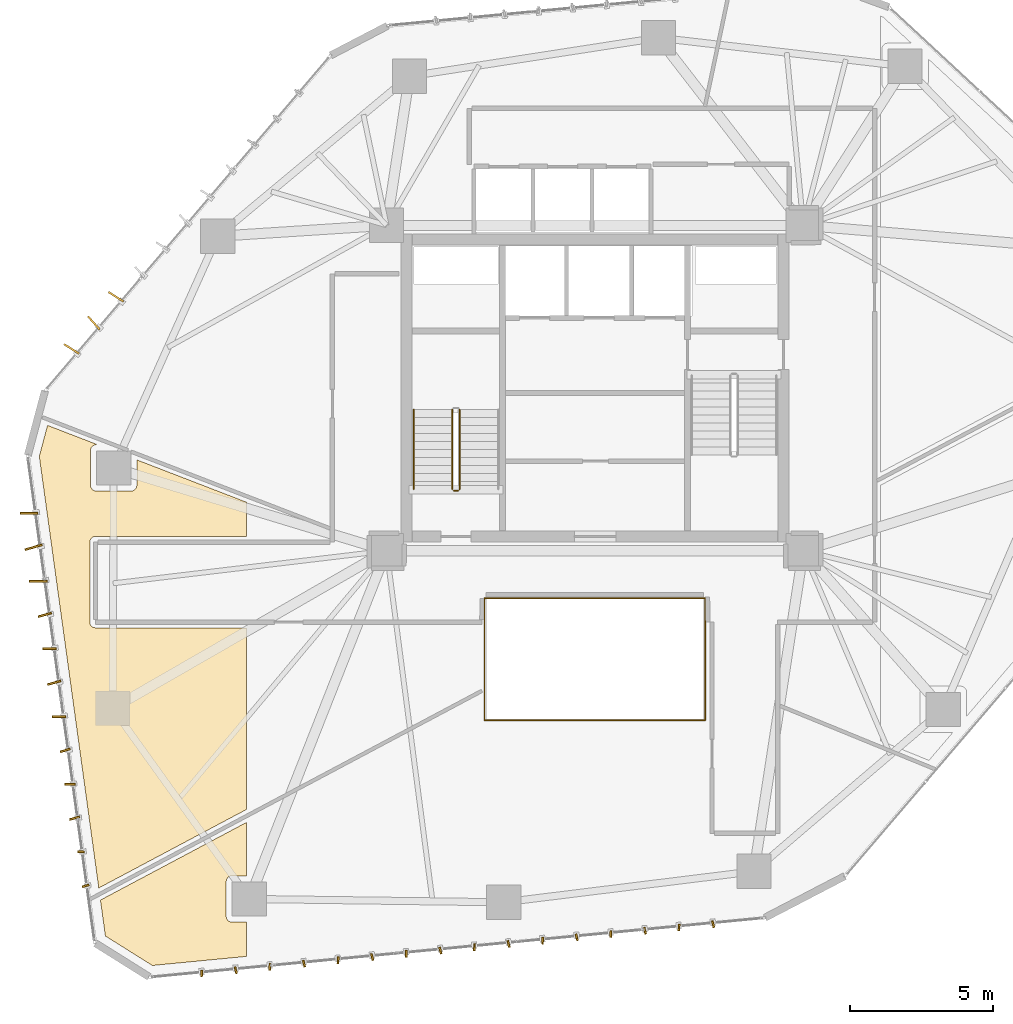
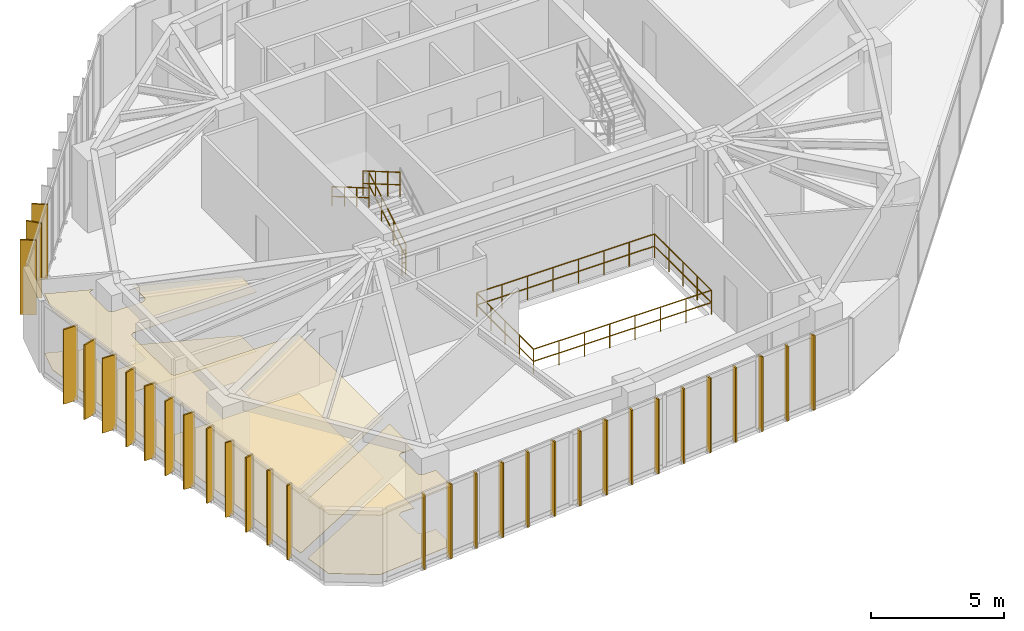
# One storey, part 20 of 22: 31 shading devices, 8 railings, 4 coverings.
"""IFC4 building model written with IfcOpenShell, lengths in metres."""

from ifc_helpers import new_model, si_unit, direction, frame, origin, origin_2d, place, context, subcontext, project, spatial, polyline, rectangle, circle, outline, extrude, source, transform, mapped, material, layer, layer_set, type_object, type_shapes, element, save


model = new_model("IFC4")

# Units and contexts
model_context = context("Model", 3, precision=1e-05, world=origin(), true_north=direction((0.0, 1.0)))
body_context = subcontext(model_context, "Body", "Model", "MODEL_VIEW")
ifc_project = project(units=[si_unit("LENGTHUNIT", "METRE"), si_unit("AREAUNIT", "SQUARE_METRE"), si_unit("VOLUMEUNIT", "CUBIC_METRE"), si_unit("PLANEANGLEUNIT", "RADIAN"), si_unit("MASSUNIT", "GRAM", prefix="KILO")], contexts=[model_context])

# Site, building, storey
site_placement = place(None, origin())
site = spatial("IfcSite", under=ifc_project, at=site_placement, CompositionType="ELEMENT")
building_placement = place(site_placement, origin())
building = spatial("IfcBuilding", under=site, at=building_placement, Name="Talar Marvaseh", CompositionType="ELEMENT")
storey_placement = place(building_placement, frame((0.0, 0.0, 107.39990234375)))
storey = spatial("IfcBuildingStorey", under=building, at=storey_placement, Name="L27", CompositionType="ELEMENT", Elevation=107.39990234375)

# Railings
ifc_material_1 = material(Name="Stainless Steel Grade 316", Category="steel")
railing_type_1 = type_object("IfcRailingType", Name="Brushed Stainless Wall Pitch Handrail 900", PredefinedType="HANDRAIL", material=ifc_material_1)
railing_1_placement = place(storey_placement, frame((19.64990234375, 30.449951171875, 1.963623046875)))
element("IfcRailing", 1, at=railing_1_placement, inside=storey, type_object=railing_type_1, Name="L27 ST-1 stair handrail 2", PredefinedType="HANDRAIL", context=body_context, shape_type="SweptSolid", body=[
    extrude(circle(Radius=0.02392578125, at=origin_2d()), frame((0.0, 0.0, 0.8759765625), z_axis=(0.0, -0.863360870873, 0.504586966384), x_axis=(1.0, 0.0, 0.0)), (0.0, 0.0, 1.0), 3.2431640625),
    extrude(circle(Radius=0.02392578125, at=origin_2d()), frame((0.0, 0.0, 0.42578125), z_axis=(0.0, -0.863360870873, 0.504586966384), x_axis=(1.0, 0.0, 0.0)), (0.0, 0.0, 1.0), 3.2431640625),
    extrude(circle(Radius=0.02099609375, at=origin_2d()), origin(), (0.0, 0.0, 1.0), 0.851806640625),
    extrude(circle(Radius=0.02099609375, at=origin_2d()), frame((0.0, -0.933349609375, 0.54541015625)), (0.0, 0.0, 1.0), 0.851806640625),
    extrude(circle(Radius=0.02099609375, at=origin_2d()), frame((0.0, -1.86669921875, 1.091064453125)), (0.0, 0.0, 1.0), 0.851806640625),
    extrude(circle(Radius=0.02099609375, at=origin_2d()), frame((0.0, -2.800048828125, 1.636474609375)), (0.0, 0.0, 1.0), 0.851806640625),
])
ifc_material_2 = material(Name="Tempered Clear Glass", Category="glass")
railing_type_2 = type_object("IfcRailingType", Name="Interior Atrium Edge Balustrade 1120", PredefinedType="BALUSTRADE", material=ifc_material_2)
railing_2_placement = place(storey_placement, frame((22.1298828125, 19.561279296875, 0.0)))
element("IfcRailing", 2, at=railing_2_placement, inside=storey, type_object=railing_type_2, Name="L27 Internal Daylight Atrium Balustrade 1", PredefinedType="BALUSTRADE", context=body_context, shape_type="SweptSolid", body=[
    extrude(circle(Radius=0.02392578125, at=origin_2d()), frame((0.0, 0.0, 1.09619140625), z_axis=(1.0, 0.0, 0.0), x_axis=(0.0, 1.0, 0.0)), (0.0, 0.0, 1.0), 7.740234375),
    extrude(circle(Radius=0.02392578125, at=origin_2d()), frame((0.0, 0.0, 0.5361328125), z_axis=(1.0, 0.0, 0.0), x_axis=(0.0, 1.0, 0.0)), (0.0, 0.0, 1.0), 7.740234375),
    extrude(circle(Radius=0.02099609375, at=origin_2d()), origin(), (0.0, 0.0, 1.0), 1.072021484375),
    extrude(circle(Radius=0.02099609375, at=origin_2d()), frame((1.105712890625, 0.0, 0.0)), (0.0, 0.0, 1.0), 1.072021484375),
    extrude(circle(Radius=0.02099609375, at=origin_2d()), frame((2.21142578125, 0.0, 0.0)), (0.0, 0.0, 1.0), 1.072021484375),
    extrude(circle(Radius=0.02099609375, at=origin_2d()), frame((3.317138671875, 0.0, 0.0)), (0.0, 0.0, 1.0), 1.072021484375),
    extrude(circle(Radius=0.02099609375, at=origin_2d()), frame((4.423095703125, 0.0, 0.0)), (0.0, 0.0, 1.0), 1.072021484375),
    extrude(circle(Radius=0.02099609375, at=origin_2d()), frame((5.52880859375, 0.0, 0.0)), (0.0, 0.0, 1.0), 1.072021484375),
    extrude(circle(Radius=0.02099609375, at=origin_2d()), frame((6.634521484375, 0.0, 0.0)), (0.0, 0.0, 1.0), 1.072021484375),
    extrude(circle(Radius=0.02099609375, at=origin_2d()), frame((7.740234375, 0.0, 0.0)), (0.0, 0.0, 1.0), 1.072021484375),
])
railing_3_placement = place(storey_placement, frame((29.8701171875, 19.561279296875, 0.0)))
element("IfcRailing", 3, at=railing_3_placement, inside=storey, type_object=railing_type_2, Name="L27 Internal Daylight Atrium Balustrade 2", PredefinedType="BALUSTRADE", context=body_context, shape_type="SweptSolid", body=[
    extrude(circle(Radius=0.02392578125, at=origin_2d()), frame((0.0, 0.0, 1.09619140625), z_axis=(0.0, 1.0, 0.0), x_axis=(-1.0, 0.0, 0.0)), (0.0, 0.0, 1.0), 4.27734375),
    extrude(circle(Radius=0.02392578125, at=origin_2d()), frame((0.0, 0.0, 0.5361328125), z_axis=(0.0, 1.0, 0.0), x_axis=(-1.0, 0.0, 0.0)), (0.0, 0.0, 1.0), 4.27734375),
    extrude(circle(Radius=0.02099609375, at=origin_2d()), origin(), (0.0, 0.0, 1.0), 1.072021484375),
    extrude(circle(Radius=0.02099609375, at=origin_2d()), frame((0.0, 1.0693359375, 0.0)), (0.0, 0.0, 1.0), 1.072021484375),
    extrude(circle(Radius=0.02099609375, at=origin_2d()), frame((0.0, 2.138671875, 0.0)), (0.0, 0.0, 1.0), 1.072021484375),
    extrude(circle(Radius=0.02099609375, at=origin_2d()), frame((0.0, 3.2080078125, 0.0)), (0.0, 0.0, 1.0), 1.072021484375),
    extrude(circle(Radius=0.02099609375, at=origin_2d()), frame((0.0, 4.27734375, 0.0)), (0.0, 0.0, 1.0), 1.072021484375),
])
railing_4_placement = place(storey_placement, frame((29.8701171875, 23.838623046875, 0.0)))
element("IfcRailing", 4, at=railing_4_placement, inside=storey, type_object=railing_type_2, Name="L27 Internal Daylight Atrium Balustrade 3", PredefinedType="BALUSTRADE", context=body_context, shape_type="SweptSolid", body=[
    extrude(circle(Radius=0.02392578125, at=origin_2d()), frame((0.0, 0.0, 1.09619140625), z_axis=(-1.0, 0.0, 0.0), x_axis=(0.0, -1.0, 0.0)), (0.0, 0.0, 1.0), 7.740234375),
    extrude(circle(Radius=0.02392578125, at=origin_2d()), frame((0.0, 0.0, 0.5361328125), z_axis=(-1.0, 0.0, 0.0), x_axis=(0.0, -1.0, 0.0)), (0.0, 0.0, 1.0), 7.740234375),
    extrude(circle(Radius=0.02099609375, at=origin_2d()), origin(), (0.0, 0.0, 1.0), 1.072021484375),
    extrude(circle(Radius=0.02099609375, at=origin_2d()), frame((-1.105712890625, 0.0, 0.0)), (0.0, 0.0, 1.0), 1.072021484375),
    extrude(circle(Radius=0.02099609375, at=origin_2d()), frame((-2.21142578125, 0.0, 0.0)), (0.0, 0.0, 1.0), 1.072021484375),
    extrude(circle(Radius=0.02099609375, at=origin_2d()), frame((-3.317138671875, 0.0, 0.0)), (0.0, 0.0, 1.0), 1.072021484375),
    extrude(circle(Radius=0.02099609375, at=origin_2d()), frame((-4.423095703125, 0.0, 0.0)), (0.0, 0.0, 1.0), 1.072021484375),
    extrude(circle(Radius=0.02099609375, at=origin_2d()), frame((-5.52880859375, 0.0, 0.0)), (0.0, 0.0, 1.0), 1.072021484375),
    extrude(circle(Radius=0.02099609375, at=origin_2d()), frame((-6.634521484375, 0.0, 0.0)), (0.0, 0.0, 1.0), 1.072021484375),
    extrude(circle(Radius=0.02099609375, at=origin_2d()), frame((-7.740234375, 0.0, 0.0)), (0.0, 0.0, 1.0), 1.072021484375),
])
railing_5_placement = place(storey_placement, frame((22.1298828125, 23.838623046875, 0.0)))
element("IfcRailing", 5, at=railing_5_placement, inside=storey, type_object=railing_type_2, Name="L27 Internal Daylight Atrium Balustrade 4", PredefinedType="BALUSTRADE", context=body_context, shape_type="SweptSolid", body=[
    extrude(circle(Radius=0.02392578125, at=origin_2d()), frame((0.0, 0.0, 1.09619140625), z_axis=(0.0, -1.0, 0.0), x_axis=(1.0, 0.0, 0.0)), (0.0, 0.0, 1.0), 4.27734375),
    extrude(circle(Radius=0.02392578125, at=origin_2d()), frame((0.0, 0.0, 0.5361328125), z_axis=(0.0, -1.0, 0.0), x_axis=(1.0, 0.0, 0.0)), (0.0, 0.0, 1.0), 4.27734375),
    extrude(circle(Radius=0.02099609375, at=origin_2d()), origin(), (0.0, 0.0, 1.0), 1.072021484375),
    extrude(circle(Radius=0.02099609375, at=origin_2d()), frame((0.0, -1.0693359375, 0.0)), (0.0, 0.0, 1.0), 1.072021484375),
    extrude(circle(Radius=0.02099609375, at=origin_2d()), frame((0.0, -2.138671875, 0.0)), (0.0, 0.0, 1.0), 1.072021484375),
    extrude(circle(Radius=0.02099609375, at=origin_2d()), frame((0.0, -3.2080078125, 0.0)), (0.0, 0.0, 1.0), 1.072021484375),
    extrude(circle(Radius=0.02099609375, at=origin_2d()), frame((0.0, -4.27734375, 0.0)), (0.0, 0.0, 1.0), 1.072021484375),
])
railing_type_3 = type_object("IfcRailingType", Name="Painted Steel Core Stair Well Guardrail 1150", PredefinedType="GUARDRAIL", material=ifc_material_1)
railing_6_placement = place(storey_placement, frame((21.260009765625, 27.64990234375, 0.163818359375)))
element("IfcRailing", 6, at=railing_6_placement, inside=storey, type_object=railing_type_3, Name="L27 ST-1 stair guard 1", PredefinedType="GUARDRAIL", context=body_context, shape_type="SweptSolid", body=[
    extrude(circle(Radius=0.02392578125, at=origin_2d()), frame((0.0, 0.0, 1.1259765625), z_axis=(0.0, 0.863393664356, 0.504530851732), x_axis=(-1.0, 0.0, 0.0)), (0.0, 0.0, 1.0), 3.2431640625),
    extrude(circle(Radius=0.02392578125, at=origin_2d()), frame((0.0, 0.0, 0.55078125), z_axis=(0.0, 0.863393664356, 0.504530851732), x_axis=(-1.0, 0.0, 0.0)), (0.0, 0.0, 1.0), 3.2431640625),
    extrude(circle(Radius=0.02099609375, at=origin_2d()), origin(), (0.0, 0.0, 1.0), 1.101806640625),
    extrude(circle(Radius=0.02099609375, at=origin_2d()), frame((0.0, 0.933349609375, 0.54541015625)), (0.0, 0.0, 1.0), 1.101806640625),
    extrude(circle(Radius=0.02099609375, at=origin_2d()), frame((0.0, 1.86669921875, 1.0908203125)), (0.0, 0.0, 1.0), 1.101806640625),
    extrude(circle(Radius=0.02099609375, at=origin_2d()), frame((0.0, 2.800048828125, 1.63623046875)), (0.0, 0.0, 1.0), 1.101806640625),
])
railing_7_placement = place(storey_placement, frame((21.0, 30.449951171875, 1.963623046875)))
element("IfcRailing", 7, at=railing_7_placement, inside=storey, type_object=railing_type_3, Name="L27 ST-1 stair guard 3", PredefinedType="GUARDRAIL", context=body_context, shape_type="SweptSolid", body=[
    extrude(circle(Radius=0.02392578125, at=origin_2d()), frame((0.0, 0.0, 1.1259765625), z_axis=(0.0, -0.863360870873, 0.504586966384), x_axis=(1.0, 0.0, 0.0)), (0.0, 0.0, 1.0), 3.2431640625),
    extrude(circle(Radius=0.02392578125, at=origin_2d()), frame((0.0, 0.0, 0.55078125), z_axis=(0.0, -0.863360870873, 0.504586966384), x_axis=(1.0, 0.0, 0.0)), (0.0, 0.0, 1.0), 3.2431640625),
    extrude(circle(Radius=0.02099609375, at=origin_2d()), origin(), (0.0, 0.0, 1.0), 1.101806640625),
    extrude(circle(Radius=0.02099609375, at=origin_2d()), frame((0.0, -0.933349609375, 0.54541015625)), (0.0, 0.0, 1.0), 1.101806640625),
    extrude(circle(Radius=0.02099609375, at=origin_2d()), frame((0.0, -1.86669921875, 1.091064453125)), (0.0, 0.0, 1.0), 1.101806640625),
    extrude(circle(Radius=0.02099609375, at=origin_2d()), frame((0.0, -2.800048828125, 1.636474609375)), (0.0, 0.0, 1.0), 1.101806640625),
])
railing_8_placement = place(storey_placement, frame((21.2099609375, 27.60009765625, 0.0)))
element("IfcRailing", 8, at=railing_8_placement, inside=storey, type_object=railing_type_3, Name="L27 ST-1 stair guard 4", PredefinedType="GUARDRAIL", context=body_context, shape_type="SweptSolid", body=[
    extrude(circle(Radius=0.02392578125, at=origin_2d()), frame((0.0, 0.0, 1.1259765625), z_axis=(-1.0, 0.0, 0.0), x_axis=(0.0, -1.0, 0.0)), (0.0, 0.0, 1.0), 0.159912109375),
    extrude(circle(Radius=0.02392578125, at=origin_2d()), frame((0.0, 0.0, 0.55078125), z_axis=(-1.0, 0.0, 0.0), x_axis=(0.0, -1.0, 0.0)), (0.0, 0.0, 1.0), 0.159912109375),
    extrude(circle(Radius=0.02099609375, at=origin_2d()), origin(), (0.0, 0.0, 1.0), 1.101806640625),
    extrude(circle(Radius=0.02099609375, at=origin_2d()), frame((-0.159912109375, 0.0, 0.0)), (0.0, 0.0, 1.0), 1.101806640625),
])

# Coverings
ifc_material_3 = material(Name="Mineral Fibre Acoustic Ceiling")
ifc_layer_1 = layer(ifc_material_3, 0.02490234375)
ifc_layer_set_1 = layer_set([ifc_layer_1], Name="Mineral Fibre Acoustic Ceiling")
covering_type_1 = type_object("IfcCoveringType", Name="Perforated Mineral Fibre Acoustic Suspended Ceiling", PredefinedType="CEILING", material=ifc_layer_set_1)
covering_1_placement = place(storey_placement, frame((0.0, 0.0, 2.72021484375)))
element("IfcCovering", 9, at=covering_1_placement, inside=storey, type_object=covering_type_1, Name="L27 Curatorial Office Acoustic Ceiling", PredefinedType="CEILING", context=body_context, shape_type="SweptSolid", body=[
    extrude(outline(polyline([(6.820556640625, 29.8916015625), (8.5673828125, 29.217041015625), (8.5380859375, 29.217041015625), (8.520263671875, 29.21630859375), (8.502685546875, 29.2138671875), (8.485595703125, 29.2099609375), (8.468505859375, 29.20458984375), (8.452392578125, 29.19775390625), (8.440673828125, 29.192138671875), (8.422607421875, 29.1826171875), (8.40576171875, 29.1708984375), (8.39013671875, 29.157958984375), (8.3759765625, 29.143310546875), (8.36328125, 29.127197265625), (8.352294921875, 29.10986328125), (8.343017578125, 29.091552734375), (8.3359375, 29.072509765625), (8.330810546875, 29.052734375), (8.327392578125, 29.032470703125), (8.326416015625, 29.01220703125), (8.322998046875, 27.802490234375), (8.323974609375, 27.78271484375), (8.326904296875, 27.76318359375), (8.33154296875, 27.744140625), (8.338134765625, 27.7255859375), (8.3466796875, 27.707763671875), (8.356689453125, 27.69091796875), (8.3662109375, 27.677001953125), (8.377685546875, 27.6611328125), (8.39111328125, 27.646484375), (8.405517578125, 27.63330078125), (8.42138671875, 27.62158203125), (8.438232421875, 27.611572265625), (8.4560546875, 27.603271484375), (8.474609375, 27.5966796875), (8.49365234375, 27.591796875), (8.51318359375, 27.589111328125), (8.53271484375, 27.588134765625), (9.7490234375, 27.59130859375), (9.768798828125, 27.59228515625), (9.7880859375, 27.59521484375), (9.806884765625, 27.60009765625), (9.8251953125, 27.606689453125), (9.843017578125, 27.614990234375), (9.85986328125, 27.625), (9.87548828125, 27.63671875), (9.889892578125, 27.64990234375), (9.903076171875, 27.664306640625), (9.914794921875, 27.68017578125), (9.9248046875, 27.69677734375), (9.93310546875, 27.714599609375), (9.939697265625, 27.73291015625), (9.944580078125, 27.751708984375), (9.947509765625, 27.77099609375), (9.948486328125, 27.790771484375), (9.951904296875, 28.682373046875), (13.800048828125, 27.196533203125), (13.800048828125, 26.0), (8.5, 26.0), (8.48046875, 25.9990234375), (8.4609375, 25.99609375), (8.44189453125, 25.991455078125), (8.423583984375, 25.98486328125), (8.40576171875, 25.976318359375), (8.388916015625, 25.96630859375), (8.373046875, 25.95458984375), (8.358642578125, 25.94140625), (8.345458984375, 25.927001953125), (8.333740234375, 25.9111328125), (8.323486328125, 25.894287109375), (8.315185546875, 25.87646484375), (8.30859375, 25.858154296875), (8.3037109375, 25.839111328125), (8.301025390625, 25.819580078125), (8.300048828125, 25.800048828125), (8.300048828125, 23.0), (8.301025390625, 22.98046875), (8.3037109375, 22.9609375), (8.30859375, 22.94189453125), (8.315185546875, 22.923583984375), (8.323486328125, 22.90576171875), (8.333740234375, 22.888916015625), (8.345458984375, 22.873046875), (8.358642578125, 22.858642578125), (8.373046875, 22.845458984375), (8.388916015625, 22.833740234375), (8.40576171875, 22.823486328125), (8.423583984375, 22.815185546875), (8.44189453125, 22.80859375), (8.4609375, 22.8037109375), (8.48046875, 22.801025390625), (8.5, 22.800048828125), (13.800048828125, 22.800048828125), (13.800048828125, 16.439697265625), (8.615966796875, 13.683349609375), (6.531982421875, 28.80517578125), (6.820556640625, 29.8916015625)])), origin(), (0.0, 0.0, 1.0), 0.02490234375),
])
covering_2_placement = place(storey_placement, frame((0.0, 0.0, 2.72021484375)))
element("IfcCovering", 10, at=covering_2_placement, inside=storey, type_object=covering_type_1, Name="L27 Seminar Room Acoustic Ceiling", PredefinedType="CEILING", context=body_context, shape_type="SweptSolid", body=[
    extrude(outline(polyline([(13.800048828125, 14.111572265625), (13.27978515625, 14.109619140625), (13.260009765625, 14.108642578125), (13.24072265625, 14.105712890625), (13.2216796875, 14.100830078125), (13.203369140625, 14.09423828125), (13.185791015625, 14.085693359375), (13.1689453125, 14.07568359375), (13.1533203125, 14.06396484375), (13.138671875, 14.05078125), (13.12548828125, 14.0361328125), (13.114013671875, 14.0205078125), (13.10400390625, 14.003662109375), (13.095703125, 13.986083984375), (13.089111328125, 13.967529296875), (13.084228515625, 13.948486328125), (13.081298828125, 13.92919921875), (13.080322265625, 13.90966796875), (13.080322265625, 12.6884765625), (13.081298828125, 12.668701171875), (13.084228515625, 12.6494140625), (13.089111328125, 12.63037109375), (13.095703125, 12.61181640625), (13.10400390625, 12.593994140625), (13.114013671875, 12.577392578125), (13.125732421875, 12.5615234375), (13.138916015625, 12.547119140625), (13.153564453125, 12.53369140625), (13.169189453125, 12.522216796875), (13.18603515625, 12.511962890625), (13.203857421875, 12.503662109375), (13.222412109375, 12.4970703125), (13.241455078125, 12.4921875), (13.2607421875, 12.489501953125), (13.280517578125, 12.48828125), (13.800048828125, 12.48828125), (13.800048828125, 11.287353515625), (10.49365234375, 10.968505859375), (8.847900390625, 11.999755859375), (8.674072265625, 13.26123046875), (13.800048828125, 15.986572265625), (13.800048828125, 14.111572265625)])), origin(), (0.0, 0.0, 1.0), 0.02490234375),
])
ifc_material_4 = material(Name="Porcelain Stoneware Tile", Category="masonry")
ifc_layer_2 = layer(ifc_material_4, 0.02001953125)
ifc_layer_set_2 = layer_set([ifc_layer_2], Name="Porcelain Stoneware Tile")
covering_type_2 = type_object("IfcCoveringType", Name="Polished Porcelain Stoneware Gallery Flooring", PredefinedType="FLOORING", material=ifc_layer_set_2)
covering_3_placement = place(storey_placement, origin())
element("IfcCovering", 11, at=covering_3_placement, inside=storey, type_object=covering_type_2, Name="L27 Curatorial Office Flooring", PredefinedType="FLOORING", context=body_context, shape_type="SweptSolid", body=[
    extrude(outline(polyline([(6.820556640625, 29.8916015625), (8.5673828125, 29.217041015625), (8.5380859375, 29.217041015625), (8.520263671875, 29.21630859375), (8.502685546875, 29.2138671875), (8.485595703125, 29.2099609375), (8.468505859375, 29.20458984375), (8.452392578125, 29.19775390625), (8.440673828125, 29.192138671875), (8.422607421875, 29.1826171875), (8.40576171875, 29.1708984375), (8.39013671875, 29.157958984375), (8.3759765625, 29.143310546875), (8.36328125, 29.127197265625), (8.352294921875, 29.10986328125), (8.343017578125, 29.091552734375), (8.3359375, 29.072509765625), (8.330810546875, 29.052734375), (8.327392578125, 29.032470703125), (8.326416015625, 29.01220703125), (8.322998046875, 27.802490234375), (8.323974609375, 27.78271484375), (8.326904296875, 27.76318359375), (8.33154296875, 27.744140625), (8.338134765625, 27.7255859375), (8.3466796875, 27.707763671875), (8.356689453125, 27.69091796875), (8.3662109375, 27.677001953125), (8.377685546875, 27.6611328125), (8.39111328125, 27.646484375), (8.405517578125, 27.63330078125), (8.42138671875, 27.62158203125), (8.438232421875, 27.611572265625), (8.4560546875, 27.603271484375), (8.474609375, 27.5966796875), (8.49365234375, 27.591796875), (8.51318359375, 27.589111328125), (8.53271484375, 27.588134765625), (9.7490234375, 27.59130859375), (9.768798828125, 27.59228515625), (9.7880859375, 27.59521484375), (9.806884765625, 27.60009765625), (9.8251953125, 27.606689453125), (9.843017578125, 27.614990234375), (9.85986328125, 27.625), (9.87548828125, 27.63671875), (9.889892578125, 27.64990234375), (9.903076171875, 27.664306640625), (9.914794921875, 27.68017578125), (9.9248046875, 27.69677734375), (9.93310546875, 27.714599609375), (9.939697265625, 27.73291015625), (9.944580078125, 27.751708984375), (9.947509765625, 27.77099609375), (9.948486328125, 27.790771484375), (9.951904296875, 28.682373046875), (13.800048828125, 27.196533203125), (13.800048828125, 26.0), (8.5, 26.0), (8.48046875, 25.9990234375), (8.4609375, 25.99609375), (8.44189453125, 25.991455078125), (8.423583984375, 25.98486328125), (8.40576171875, 25.976318359375), (8.388916015625, 25.96630859375), (8.373046875, 25.95458984375), (8.358642578125, 25.94140625), (8.345458984375, 25.927001953125), (8.333740234375, 25.9111328125), (8.323486328125, 25.894287109375), (8.315185546875, 25.87646484375), (8.30859375, 25.858154296875), (8.3037109375, 25.839111328125), (8.301025390625, 25.819580078125), (8.300048828125, 25.800048828125), (8.300048828125, 23.0), (8.301025390625, 22.98046875), (8.3037109375, 22.9609375), (8.30859375, 22.94189453125), (8.315185546875, 22.923583984375), (8.323486328125, 22.90576171875), (8.333740234375, 22.888916015625), (8.345458984375, 22.873046875), (8.358642578125, 22.858642578125), (8.373046875, 22.845458984375), (8.388916015625, 22.833740234375), (8.40576171875, 22.823486328125), (8.423583984375, 22.815185546875), (8.44189453125, 22.80859375), (8.4609375, 22.8037109375), (8.48046875, 22.801025390625), (8.5, 22.800048828125), (13.800048828125, 22.800048828125), (13.800048828125, 16.439697265625), (8.615966796875, 13.683349609375), (6.531982421875, 28.80517578125), (6.820556640625, 29.8916015625)])), origin(), (0.0, 0.0, 1.0), 0.02001953125),
])
covering_4_placement = place(storey_placement, origin())
element("IfcCovering", 12, at=covering_4_placement, inside=storey, type_object=covering_type_2, Name="L27 Seminar Room Flooring", PredefinedType="FLOORING", context=body_context, shape_type="SweptSolid", body=[
    extrude(outline(polyline([(13.800048828125, 14.111572265625), (13.27978515625, 14.109619140625), (13.260009765625, 14.108642578125), (13.24072265625, 14.105712890625), (13.2216796875, 14.100830078125), (13.203369140625, 14.09423828125), (13.185791015625, 14.085693359375), (13.1689453125, 14.07568359375), (13.1533203125, 14.06396484375), (13.138671875, 14.05078125), (13.12548828125, 14.0361328125), (13.114013671875, 14.0205078125), (13.10400390625, 14.003662109375), (13.095703125, 13.986083984375), (13.089111328125, 13.967529296875), (13.084228515625, 13.948486328125), (13.081298828125, 13.92919921875), (13.080322265625, 13.90966796875), (13.080322265625, 12.6884765625), (13.081298828125, 12.668701171875), (13.084228515625, 12.6494140625), (13.089111328125, 12.63037109375), (13.095703125, 12.61181640625), (13.10400390625, 12.593994140625), (13.114013671875, 12.577392578125), (13.125732421875, 12.5615234375), (13.138916015625, 12.547119140625), (13.153564453125, 12.53369140625), (13.169189453125, 12.522216796875), (13.18603515625, 12.511962890625), (13.203857421875, 12.503662109375), (13.222412109375, 12.4970703125), (13.241455078125, 12.4921875), (13.2607421875, 12.489501953125), (13.280517578125, 12.48828125), (13.800048828125, 12.48828125), (13.800048828125, 11.287353515625), (10.49365234375, 10.968505859375), (8.847900390625, 11.999755859375), (8.674072265625, 13.26123046875), (13.800048828125, 15.986572265625), (13.800048828125, 14.111572265625)])), origin(), (0.0, 0.0, 1.0), 0.02001953125),
])

# Shading devices
ifc_material_5 = material(Name="Anodised Champagne Bronze Aluminium", Category="aluminium")
ifc_layer_3 = layer(ifc_material_5, 0.06494140625)
ifc_layer_set_3 = layer_set([ifc_layer_3], Name="Anodised Champagne Bronze Aluminium")
shading_device_type_1 = type_object("IfcShadingDeviceType", Name="Sawtooth Champagne Bronze Vertical Fin 240", PredefinedType="USERDEFINED", material=ifc_layer_set_3)
shared_shape_1 = source(origin(), body_context, "Body", "SweptSolid", [
    extrude(rectangle(XDim=0.239990234375, YDim=0.06494140625, at=origin_2d()), origin(), (0.0, 0.0, 1.0), 3.429931640625),
])
type_shapes(shading_device_type_1, [shared_shape_1])
for number, where, z_axis, x_axis, name in (
    (13, (8.15625, 13.7587890625, -0.11962890625), (0.0, 0.0, 1.0), (-0.961980017834, -0.273119836863, 0.0), "L27 Sawtooth Vertical Solar Fin"),
    (14, (7.992431640625, 14.947509765625, -0.11962890625), (0.0, 0.0, 1.0), (-0.999996573056, 0.002617990887, 0.0), "L27 Sawtooth Vertical Solar Fin"),
    (15, (30.138427734375, 12.416015625, -0.11962890625), (0.0, 0.0, 1.0), (0.233615070866, -0.972329161686, 0.0), "L27 Sawtooth Vertical Solar Fin"),
    (16, (28.944091796875, 12.30078125, -0.11962890625), (0.0, 0.0, 1.0), (-0.043445019893, -0.999055819385, 0.0), "L27 Sawtooth Vertical Solar Fin"),
    (17, (27.74951171875, 12.185546875, -0.11962890625), (0.0, 0.0, 1.0), (0.233615070866, -0.972329161686, 0.0), "L27 Sawtooth Vertical Solar Fin"),
    (18, (26.55517578125, 12.0703125, -0.11962890625), (0.0, 0.0, 1.0), (-0.043445019893, -0.999055819385, 0.0), "L27 Sawtooth Vertical Solar Fin"),
    (19, (25.360595703125, 11.955078125, -0.11962890625), (0.0, 0.0, 1.0), (0.233615070866, -0.972329161686, 0.0), "L27 Sawtooth Vertical Solar Fin"),
    (20, (24.166259765625, 11.840087890625, -0.11962890625), (0.0, 0.0, 1.0), (-0.043445019893, -0.999055819385, 0.0), "L27 Sawtooth Vertical Solar Fin"),
    (21, (22.9716796875, 11.724853515625, -0.11962890625), (0.0, 0.0, 1.0), (0.233615070866, -0.972329161686, 0.0), "L27 Sawtooth Vertical Solar Fin"),
    (22, (21.77734375, 11.609619140625, -0.11962890625), (0.0, 0.0, 1.0), (-0.043445019893, -0.999055819385, 0.0), "L27 Sawtooth Vertical Solar Fin"),
    (23, (20.5830078125, 11.494384765625, -0.11962890625), (0.0, 0.0, 1.0), (0.233615070866, -0.972329161686, 0.0), "L27 Sawtooth Vertical Solar Fin"),
    (24, (19.388427734375, 11.379150390625, -0.11962890625), (0.0, 0.0, 1.0), (-0.043445019893, -0.999055819385, 0.0), "L27 Sawtooth Vertical Solar Fin"),
    (25, (18.19384765625, 11.263916015625, -0.11962890625), (0.0, 0.0, 1.0), (0.233615070866, -0.972329161686, 0.0), "L27 Sawtooth Vertical Solar Fin"),
    (26, (16.99951171875, 11.148681640625, -0.11962890625), (0.0, 0.0, 1.0), (-0.043445019893, -0.999055819385, 0.0), "L27 Sawtooth Vertical Solar Fin"),
    (27, (15.804931640625, 11.03369140625, -0.11962890625), (0.0, 0.0, 1.0), (0.233615070866, -0.972329161686, 0.0), "L27 Sawtooth Vertical Solar Fin"),
    (28, (14.610595703125, 10.91845703125, -0.11962890625), (0.0, 0.0, 1.0), (-0.043445019893, -0.999055819385, 0.0), "L27 Sawtooth Vertical Solar Fin"),
    (29, (13.416015625, 10.80322265625, -0.11962890625), (0.0, 0.0, 1.0), (0.233615070866, -0.972329161686, 0.0), "L27 Sawtooth Vertical Solar Fin"),
    (30, (12.2216796875, 10.68798828125, -0.11962890625), (0.0, 0.0, 1.0), (-0.043445019893, -0.999055819385, 0.0), "L27 Sawtooth Vertical Solar Fin"),
):
    element("IfcShadingDevice", number, at=place(storey_placement, frame(where, z_axis=z_axis, x_axis=x_axis)), inside=storey, type_object=shading_device_type_1, Name=name, ObjectType="FIN", PredefinedType="USERDEFINED", context=body_context, shape_type="MappedRepresentation", body=[
        mapped(shared_shape_1, transform((0.0, 0.0, 0.0), x_axis=(1.0, 0.0, 0.0), y_axis=(0.0, 1.0, 0.0), z_axis=(0.0, 0.0, 1.0), scale=1.0)),
    ])
ifc_layer_4 = layer(ifc_material_5, 0.06494140625)
ifc_layer_set_4 = layer_set([ifc_layer_4], Name="Anodised Champagne Bronze Aluminium")
shading_device_type_2 = type_object("IfcShadingDeviceType", Name="Sawtooth Champagne Bronze Vertical Fin 360", PredefinedType="USERDEFINED", material=ifc_layer_set_4)
shared_shape_2 = source(origin(), body_context, "Body", "SweptSolid", [
    extrude(rectangle(XDim=0.360107421875, YDim=0.06494140625, at=origin_2d()), origin(), (0.0, 0.0, 1.0), 3.429931640625),
])
type_shapes(shading_device_type_2, [shared_shape_2])
for number, where, z_axis, x_axis, name in (
    (31, (7.769287109375, 16.1279296875, -0.11962890625), (0.0, 0.0, 1.0), (-0.961980017834, -0.273119836863, 0.0), "L27 Sawtooth Vertical Solar Fin"),
    (32, (7.60546875, 17.31689453125, -0.11962890625), (0.0, 0.0, 1.0), (-0.999996573056, 0.002617990887, 0.0), "L27 Sawtooth Vertical Solar Fin"),
    (33, (7.441650390625, 18.505615234375, -0.11962890625), (0.0, 0.0, 1.0), (-0.961980017834, -0.273119836863, 0.0), "L27 Sawtooth Vertical Solar Fin"),
):
    element("IfcShadingDevice", number, at=place(storey_placement, frame(where, z_axis=z_axis, x_axis=x_axis)), inside=storey, type_object=shading_device_type_2, Name=name, ObjectType="FIN", PredefinedType="USERDEFINED", context=body_context, shape_type="MappedRepresentation", body=[
        mapped(shared_shape_2, transform((0.0, 0.0, 0.0), x_axis=(1.0, 0.0, 0.0), y_axis=(0.0, 1.0, 0.0), z_axis=(0.0, 0.0, 1.0), scale=1.0)),
    ])
ifc_layer_5 = layer(ifc_material_5, 0.06494140625)
ifc_layer_set_5 = layer_set([ifc_layer_5], Name="Anodised Champagne Bronze Aluminium")
shading_device_type_3 = type_object("IfcShadingDeviceType", Name="Sawtooth Champagne Bronze Vertical Fin 480", PredefinedType="USERDEFINED", material=ifc_layer_set_5)
shared_shape_3 = source(origin(), body_context, "Body", "SweptSolid", [
    extrude(rectangle(XDim=0.47998046875, YDim=0.06494140625, at=origin_2d()), origin(), (0.0, 0.0, 1.0), 3.429931640625),
])
type_shapes(shading_device_type_3, [shared_shape_3])
for number, where, z_axis, x_axis, name in (
    (34, (7.218505859375, 19.68603515625, -0.11962890625), (0.0, 0.0, 1.0), (-0.999996573056, 0.002617990887, 0.0), "L27 Sawtooth Vertical Solar Fin"),
    (35, (7.054443359375, 20.875, -0.11962890625), (0.0, 0.0, 1.0), (-0.961980017834, -0.273119836863, 0.0), "L27 Sawtooth Vertical Solar Fin"),
    (36, (6.890625, 22.063720703125, -0.11962890625), (0.0, 0.0, 1.0), (-0.999996573056, 0.002617990887, 0.0), "L27 Sawtooth Vertical Solar Fin"),
    (37, (6.726806640625, 23.25244140625, -0.11962890625), (0.0, 0.0, 1.0), (-0.961980017834, -0.273119836863, 0.0), "L27 Sawtooth Vertical Solar Fin"),
):
    element("IfcShadingDevice", number, at=place(storey_placement, frame(where, z_axis=z_axis, x_axis=x_axis)), inside=storey, type_object=shading_device_type_3, Name=name, ObjectType="FIN", PredefinedType="USERDEFINED", context=body_context, shape_type="MappedRepresentation", body=[
        mapped(shared_shape_3, transform((0.0, 0.0, 0.0), x_axis=(1.0, 0.0, 0.0), y_axis=(0.0, 1.0, 0.0), z_axis=(0.0, 0.0, 1.0), scale=1.0)),
    ])
ifc_layer_6 = layer(ifc_material_5, 0.06494140625)
ifc_layer_set_6 = layer_set([ifc_layer_6], Name="Anodised Champagne Bronze Aluminium")
shading_device_type_4 = type_object("IfcShadingDeviceType", Name="Sawtooth Champagne Bronze Vertical Fin 620", PredefinedType="USERDEFINED", material=ifc_layer_set_6)
shared_shape_4 = source(origin(), body_context, "Body", "SweptSolid", [
    extrude(rectangle(XDim=0.6201171875, YDim=0.06494140625, at=origin_2d()), origin(), (0.0, 0.0, 1.0), 3.429931640625),
])
type_shapes(shading_device_type_4, [shared_shape_4])
for number, where, z_axis, x_axis, name in (
    (38, (6.49365234375, 24.431640625, -0.11962890625), (0.0, 0.0, 1.0), (-0.999996573056, 0.002617990887, 0.0), "L27 Sawtooth Vertical Solar Fin"),
    (39, (6.329833984375, 25.620361328125, -0.11962890625), (0.0, 0.0, 1.0), (-0.961980017834, -0.273119836863, 0.0), "L27 Sawtooth Vertical Solar Fin"),
    (40, (6.166015625, 26.80908203125, -0.11962890625), (0.0, 0.0, 1.0), (-0.999996573056, 0.002617990887, 0.0), "L27 Sawtooth Vertical Solar Fin"),
    (41, (7.66162109375, 32.570556640625, -0.11962890625), (0.0, 0.0, 1.0), (-0.844047251522, 0.536268810577, 0.0), "L27 Sawtooth Vertical Solar Fin"),
    (42, (8.439697265625, 33.48388671875, -0.11962890625), (0.0, 0.0, 1.0), (-0.663534575496, 0.748145618928, 0.0), "L27 Sawtooth Vertical Solar Fin"),
    (43, (9.218017578125, 34.397216796875, -0.11962890625), (0.0, 0.0, 1.0), (-0.844047251522, 0.536268810577, 0.0), "L27 Sawtooth Vertical Solar Fin"),
):
    element("IfcShadingDevice", number, at=place(storey_placement, frame(where, z_axis=z_axis, x_axis=x_axis)), inside=storey, type_object=shading_device_type_4, Name=name, ObjectType="FIN", PredefinedType="USERDEFINED", context=body_context, shape_type="MappedRepresentation", body=[
        mapped(shared_shape_4, transform((0.0, 0.0, 0.0), x_axis=(1.0, 0.0, 0.0), y_axis=(0.0, 1.0, 0.0), z_axis=(0.0, 0.0, 1.0), scale=1.0)),
    ])

save(model, "model.ifc")
